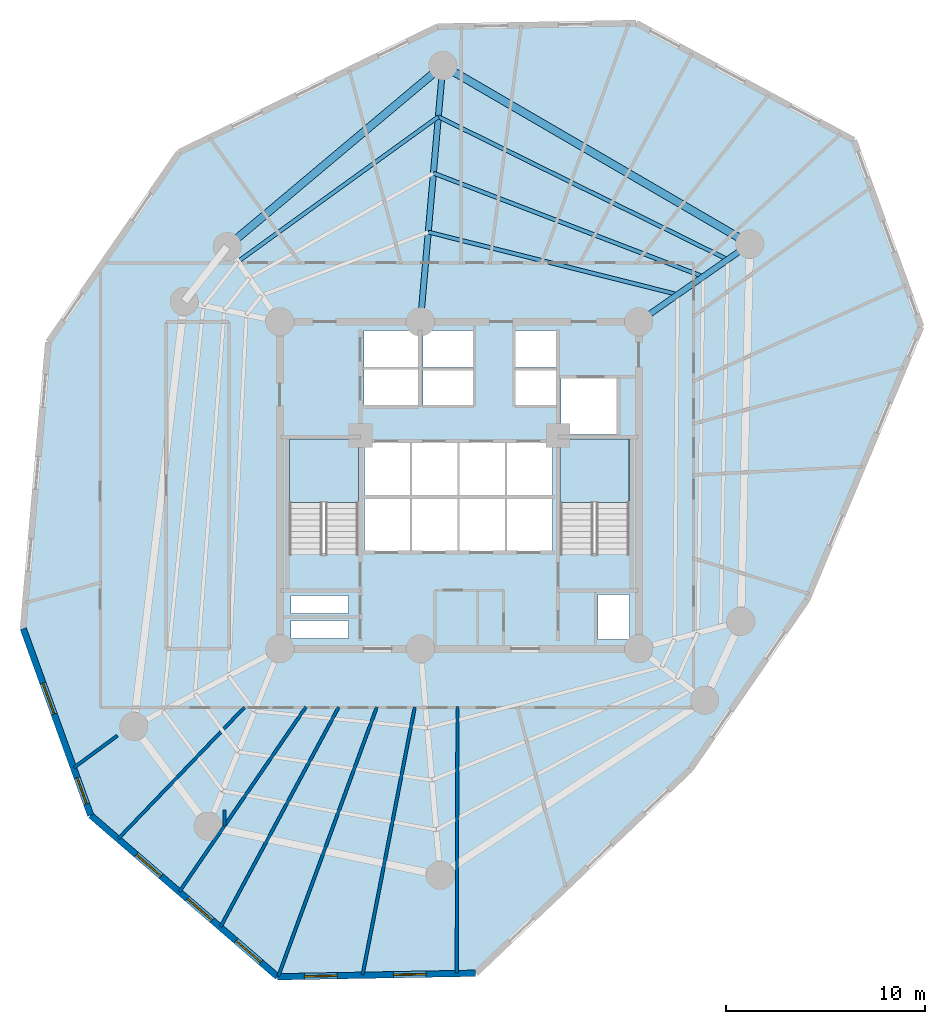
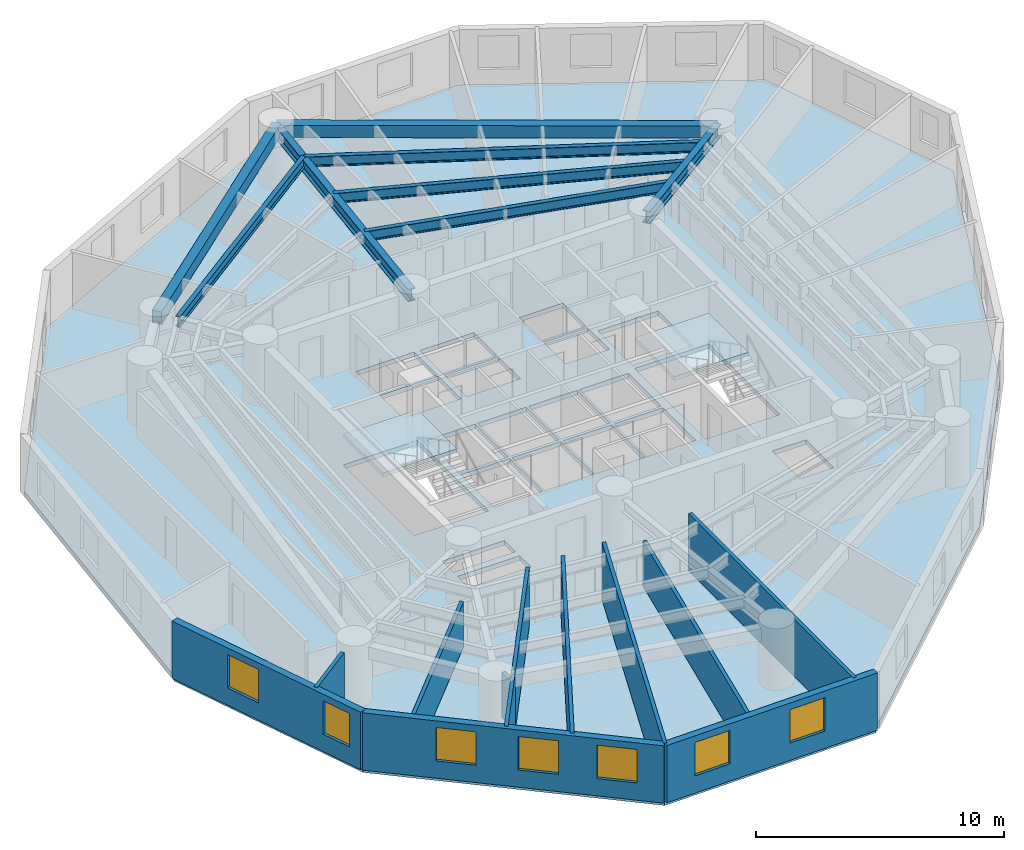
# One storey, part 2 of 8: 12 walls, 8 beams, 7 windows, 3 slabs, 7 openings, 2 elements without a shape of their own.
"""IFC4 building model written with IfcOpenShell, lengths in metres."""

from ifc_helpers import new_model, si_unit, direction, frame, frame_2d, origin, origin_with_axes, origin_2d, place, context, subcontext, project, spatial, polyline, rectangle, i_section, outline, extrude, source, transform, mapped, material, layer, layer_set, material_profile, profile_set, type_object, element, fill, aggregate, save


model = new_model("IFC4")

# Units and contexts
model_context = context("Model", 3, precision=1e-05, world=origin(), true_north=direction((0.0, 1.0)))
body_context = subcontext(model_context, "Body", "Model", "MODEL_VIEW")
ifc_project = project(units=[si_unit("LENGTHUNIT", "METRE"), si_unit("AREAUNIT", "SQUARE_METRE"), si_unit("VOLUMEUNIT", "CUBIC_METRE"), si_unit("PLANEANGLEUNIT", "RADIAN"), si_unit("MASSUNIT", "GRAM", prefix="KILO")], contexts=[model_context])

# Site, building, storey
site_placement = place(None, origin())
site = spatial("IfcSite", under=ifc_project, at=site_placement, CompositionType="ELEMENT")
building_placement = place(site_placement, origin())
building = spatial("IfcBuilding", under=site, at=building_placement, Name="Karkom Vertical University and Central Library", CompositionType="ELEMENT")
storey_placement = place(building_placement, frame((0.0, 0.0, 102.300048828125)))
storey = spatial("IfcBuildingStorey", under=building, at=storey_placement, Name="L27", CompositionType="ELEMENT", Elevation=102.300048828125)

# Beams
ifc_material_1 = material(Name="Precast concrete C45/55", Category="concrete")
ifc_material_profile_1 = material_profile(ifc_material_1, rectangle(XDim=0.39990234375, YDim=0.60009765625, at=origin_2d()), Name="SPB-400x600")
ifc_profile_set_1 = profile_set([ifc_material_profile_1], Name="Precast concrete C45/55")
beam_type_1 = type_object("IfcBeamType", Name="STR-BM-SP-1", PredefinedType="SPANDREL", material=ifc_profile_set_1)
shared_shape_1 = source(origin_with_axes(), body_context, "Body", "SweptSolid", [
    extrude(rectangle(XDim=0.39990234375, YDim=0.60009765625, at=origin_2d()), origin(), (0.0, 0.0, 1.0), 17.808837890625),
])
beam_1_placement = place(storey_placement, frame((43.070068359375, 38.60009765625, 2.52490234375), z_axis=(-0.864512866362, 0.502610688202, 0.0), x_axis=(-0.502610688202, -0.864512866362, 0.0)))
element("IfcBeam", 1, at=beam_1_placement, inside=storey, type_object=beam_type_1, Name="Level 27 Perimeter Spandrel Beam 02", PredefinedType="SPANDREL", context=body_context, shape_type="MappedRepresentation", body=[
    mapped(shared_shape_1, transform((0.0, 0.0, 0.0), scale=1.0)),
])
shared_shape_2 = source(origin_with_axes(), body_context, "Body", "SweptSolid", [
    extrude(rectangle(XDim=0.39990234375, YDim=0.60009765625, at=origin_2d()), origin(), (0.0, 0.0, 1.0), 14.120849609375),
])
beam_2_placement = place(storey_placement, frame((27.674072265625, 47.551025390625, 2.52490234375), z_axis=(-0.765672847866, -0.643230199883, 0.0), x_axis=(0.643230199883, -0.765672847866, 0.0)))
element("IfcBeam", 2, at=beam_2_placement, inside=storey, type_object=beam_type_1, Name="Level 27 Perimeter Spandrel Beam 03", PredefinedType="SPANDREL", context=body_context, shape_type="MappedRepresentation", body=[
    mapped(shared_shape_2, transform((0.0, 0.0, 0.0), scale=1.0)),
])
ifc_material_2 = material(Name="Steel S355", Category="steel")
ifc_material_profile_2 = material_profile(ifc_material_2, i_section(OverallWidth=0.199951171875, OverallDepth=0.5, WebThickness=0.01025390625, FlangeThickness=0.01611328125, FilletRadius=0.02099609375, at=origin_2d()), Name="IPE 500")
ifc_profile_set_2 = profile_set([ifc_material_profile_2], Name="Steel S355")
beam_type_2 = type_object("IfcBeamType", Name="STR-BM-SB-IPE500", PredefinedType="BEAM", material=ifc_profile_set_2)
shared_shape_3 = source(origin_with_axes(), body_context, "Body", "SweptSolid", [
    extrude(i_section(OverallWidth=0.199951171875, OverallDepth=0.5, WebThickness=0.01025390625, FlangeThickness=0.01611328125, FilletRadius=0.02099609375, at=origin_2d()), origin(), (0.0, 0.0, 1.0), 12.892578125),
])
beam_3_placement = place(storey_placement, frame((39.449462890625, 36.06494140625, 2.574951171875), z_axis=(-0.970023194321, 0.243012350468, 0.0), x_axis=(-0.243012350468, -0.970023194321, 0.0)))
element("IfcBeam", 3, at=beam_3_placement, inside=storey, type_object=beam_type_2, Name="Level 27 Secondary Composite Floor Beam 1.02", PredefinedType="BEAM", context=body_context, shape_type="MappedRepresentation", body=[
    mapped(shared_shape_3, transform((0.0, 0.0, 0.0), scale=1.0)),
])
shared_shape_4 = source(origin_with_axes(), body_context, "Body", "SweptSolid", [
    extrude(i_section(OverallWidth=0.199951171875, OverallDepth=0.5, WebThickness=0.01025390625, FlangeThickness=0.01611328125, FilletRadius=0.02099609375, at=origin_2d()), origin(), (0.0, 0.0, 1.0), 14.49072265625),
])
beam_4_placement = place(storey_placement, frame((40.730712890625, 36.9619140625, 2.574951171875), z_axis=(-0.93361673171, 0.35827335691, 0.0), x_axis=(-0.35827335691, -0.93361673171, 0.0)))
element("IfcBeam", 4, at=beam_4_placement, inside=storey, type_object=beam_type_2, Name="Level 27 Secondary Composite Floor Beam 2.02", PredefinedType="BEAM", context=body_context, shape_type="MappedRepresentation", body=[
    mapped(shared_shape_4, transform((0.0, 0.0, 0.0), scale=1.0)),
])
shared_shape_5 = source(origin_with_axes(), body_context, "Body", "SweptSolid", [
    extrude(i_section(OverallWidth=0.199951171875, OverallDepth=0.5, WebThickness=0.01025390625, FlangeThickness=0.01611328125, FilletRadius=0.02099609375, at=origin_2d()), origin(), (0.0, 0.0, 1.0), 16.177978515625),
])
beam_5_placement = place(storey_placement, frame((41.9560546875, 37.820068359375, 2.574951171875), z_axis=(-0.896709262653, 0.442620038263, 0.0), x_axis=(-0.442620038263, -0.896709262653, 0.0)))
element("IfcBeam", 5, at=beam_5_placement, inside=storey, type_object=beam_type_2, Name="Level 27 Secondary Composite Floor Beam 3.02", PredefinedType="BEAM", context=body_context, shape_type="MappedRepresentation", body=[
    mapped(shared_shape_5, transform((0.0, 0.0, 0.0), scale=1.0)),
])
shared_shape_6 = source(origin_with_axes(), body_context, "Body", "SweptSolid", [
    extrude(i_section(OverallWidth=0.199951171875, OverallDepth=0.5, WebThickness=0.01025390625, FlangeThickness=0.01611328125, FilletRadius=0.02099609375, at=origin_2d()), origin(), (0.0, 0.0, 1.0), 12.409423828125),
])
beam_6_placement = place(storey_placement, frame((27.44921875, 44.980712890625, 2.574951171875), z_axis=(-0.810636686292, -0.585549453793, 0.0), x_axis=(0.585549453793, -0.810636686292, 0.0)))
element("IfcBeam", 6, at=beam_6_placement, inside=storey, type_object=beam_type_2, Name="Level 27 Secondary Composite Floor Beam 3.03", PredefinedType="BEAM", context=body_context, shape_type="MappedRepresentation", body=[
    mapped(shared_shape_6, transform((0.0, 0.0, 0.0), scale=1.0)),
])
ifc_material_profile_3 = material_profile(ifc_material_2, i_section(OverallWidth=0.300048828125, OverallDepth=0.60009765625, WebThickness=0.015380859375, FlangeThickness=0.030029296875, FilletRadius=0.027099609375, at=origin_2d()), Name="HE 600 B")
ifc_profile_set_3 = profile_set([ifc_material_profile_3], Name="Steel S355")
beam_type_3 = type_object("IfcBeamType", Name="STR-BM-SB-HE600", PredefinedType="USERDEFINED", material=ifc_profile_set_3)
shared_shape_7 = source(origin_with_axes(), body_context, "Body", "SweptSolid", [
    extrude(i_section(OverallWidth=0.300048828125, OverallDepth=0.60009765625, WebThickness=0.015380859375, FlangeThickness=0.030029296875, FilletRadius=0.027099609375, at=origin_2d()), origin(), (0.0, 0.0, 1.0), 6.7998046875),
])
beam_7_placement = place(storey_placement, frame((37.5, 34.699951171875, 2.52490234375), z_axis=(0.819156008334, 0.573570775066, 0.0), x_axis=(-0.573570775066, 0.819156008334, 0.0)))
element("IfcBeam", 7, at=beam_7_placement, inside=storey, type_object=beam_type_3, Name="Level 27 Radial Frame Girder 02", ObjectType="GIRDER", PredefinedType="USERDEFINED", context=body_context, shape_type="MappedRepresentation", body=[
    mapped(shared_shape_7, transform((0.0, 0.0, 0.0), scale=1.0)),
])
shared_shape_8 = source(origin_with_axes(), body_context, "Body", "SweptSolid", [
    extrude(i_section(OverallWidth=0.300048828125, OverallDepth=0.60009765625, WebThickness=0.015380859375, FlangeThickness=0.030029296875, FilletRadius=0.027099609375, at=origin_2d()), origin(), (0.0, 0.0, 1.0), 12.900146484375),
])
beam_8_placement = place(storey_placement, frame((26.550048828125, 34.699951171875, 2.52490234375), z_axis=(0.087132673751, 0.996196716098, 0.0), x_axis=(-0.996196716098, 0.087132673751, 0.0)))
element("IfcBeam", 8, at=beam_8_placement, inside=storey, type_object=beam_type_3, Name="Level 27 Radial Frame Girder 03", ObjectType="GIRDER", PredefinedType="USERDEFINED", context=body_context, shape_type="MappedRepresentation", body=[
    mapped(shared_shape_8, transform((0.0, 0.0, 0.0), scale=1.0)),
])

# Stair, slab
ifc_material_3 = material(Name="Concrete C45/55", Category="concrete")
stair_type = type_object("IfcStairType", Name="INT-STR-ST-MAIN", PredefinedType="HALF_TURN_STAIR", material=ifc_material_3)
stair_1_placement = place(storey_placement, origin())
stair_1 = element("IfcStair", 9, at=stair_1_placement, inside=storey, type_object=stair_type, Name="Level 27 Tower Protected Exit Stair ST-1", PredefinedType="HALF_TURN_STAIR")
ifc_layer_1 = layer(ifc_material_3, 0.199951171875)
ifc_layer_set_1 = layer_set([ifc_layer_1], Name="Concrete C45/55")
slab_type_1 = type_object("IfcSlabType", Name="INT-SLB-LANDING", PredefinedType="LANDING", material=ifc_layer_set_1)
slab_1_placement = place(storey_placement, frame((0.0, 0.0, 1.324951171875)))
slab_1 = element("IfcSlab", 10, at=slab_1_placement, type_object=slab_type_1, Name="ST-1 landing 1", PredefinedType="LANDING", context=body_context, shape_type="SweptSolid", body=[
    extrude(outline(polyline([(23.43994140625, 25.6298828125), (23.43994140625, 28.820068359375), (19.97998046875, 28.820068359375), (19.97998046875, 25.6298828125), (23.43994140625, 25.6298828125)])), origin(), (0.0, 0.0, 1.0), 0.199951171875),
])
aggregate(stair_1, [slab_1])

stair_2_placement = place(storey_placement, origin())
stair_2 = element("IfcStair", 11, at=stair_2_placement, inside=storey, type_object=stair_type, Name="Level 27 Tower Protected Exit Stair ST-2", PredefinedType="HALF_TURN_STAIR")
slab_2_placement = place(storey_placement, frame((0.0, 0.0, 1.324951171875)))
slab_2 = element("IfcSlab", 12, at=slab_2_placement, type_object=slab_type_1, Name="ST-2 landing 1", PredefinedType="LANDING", context=body_context, shape_type="SweptSolid", body=[
    extrude(outline(polyline([(37.02001953125, 25.6298828125), (37.02001953125, 28.820068359375), (33.56005859375, 28.820068359375), (33.56005859375, 25.6298828125), (37.02001953125, 25.6298828125)])), origin(), (0.0, 0.0, 1.0), 0.199951171875),
])
aggregate(stair_2, [slab_2])

# Slab
ifc_layer_2 = layer(ifc_material_3, 0.22509765625)
ifc_layer_set_2 = layer_set([ifc_layer_2], Name="Concrete C45/55")
slab_type_2 = type_object("IfcSlabType", Name="STR-SLB-FLR-225", PredefinedType="FLOOR", material=ifc_layer_set_2)
slab_3_placement = place(storey_placement, frame((0.0, 0.0, -0.22509765625)))
element("IfcSlab", 13, at=slab_3_placement, inside=storey, type_object=slab_type_2, Name="Level 27 Tower Structural Floor Slab", PredefinedType="FLOOR", context=body_context, shape_type="SweptSolid", body=[
    extrude(outline(polyline([(14.450927734375, 43.195556640625), (7.8935546875, 33.676025390625), (6.62890625, 19.315185546875), (10.010986328125, 9.9521484375), (19.389892578125, 1.85009765625), (29.322265625, 2.026611328125), (40.081787109375, 12.25634765625), (45.936279296875, 20.755615234375), (51.6591796875, 34.454345703125), (48.2841796875, 43.79736328125), (37.37158203125, 49.6728515625), (27.417724609375, 49.49560546875), (14.450927734375, 43.195556640625)]), holes=[polyline([(19.97998046875, 23.0849609375), (23.43994140625, 23.0849609375), (23.43994140625, 28.820068359375), (19.97998046875, 28.820068359375), (19.97998046875, 23.0849609375)]), polyline([(33.56005859375, 23.0849609375), (37.02001953125, 23.0849609375), (37.02001953125, 28.820068359375), (33.56005859375, 28.820068359375), (33.56005859375, 23.0849609375)]), polyline([(23.75, 23.199951171875), (26.030029296875, 23.199951171875), (26.030029296875, 25.85009765625), (23.75, 25.85009765625), (23.75, 23.199951171875)]), polyline([(26.1298828125, 23.199951171875), (28.409912109375, 23.199951171875), (28.409912109375, 25.85009765625), (26.1298828125, 25.85009765625), (26.1298828125, 23.199951171875)]), polyline([(28.510009765625, 23.199951171875), (30.7900390625, 23.199951171875), (30.7900390625, 25.85009765625), (28.510009765625, 25.85009765625), (28.510009765625, 23.199951171875)]), polyline([(30.889892578125, 23.199951171875), (33.169921875, 23.199951171875), (33.169921875, 25.85009765625), (30.889892578125, 25.85009765625), (30.889892578125, 23.199951171875)]), polyline([(23.75, 26.0), (26.030029296875, 26.0), (26.030029296875, 28.64990234375), (23.75, 28.64990234375), (23.75, 26.0)]), polyline([(26.1298828125, 26.0), (28.409912109375, 26.0), (28.409912109375, 28.64990234375), (26.1298828125, 28.64990234375), (26.1298828125, 26.0)]), polyline([(28.510009765625, 26.0), (30.7900390625, 26.0), (30.7900390625, 28.64990234375), (28.510009765625, 28.64990234375), (28.510009765625, 26.0)]), polyline([(30.889892578125, 26.0), (33.169921875, 26.0), (33.169921875, 28.64990234375), (30.889892578125, 28.64990234375), (30.889892578125, 26.0)]), polyline([(26.679931640625, 30.5), (29.199951171875, 30.5), (29.199951171875, 32.25), (26.679931640625, 32.25), (26.679931640625, 30.5)]), polyline([(26.679931640625, 32.39990234375), (29.199951171875, 32.39990234375), (29.199951171875, 34.25), (26.679931640625, 34.25), (26.679931640625, 32.39990234375)]), polyline([(31.300048828125, 30.5), (33.35009765625, 30.5), (33.35009765625, 32.25), (31.300048828125, 32.25), (31.300048828125, 30.5)]), polyline([(31.300048828125, 32.39990234375), (33.35009765625, 32.39990234375), (33.35009765625, 34.25), (31.300048828125, 34.25), (31.300048828125, 32.39990234375)]), polyline([(23.719970703125, 30.47998046875), (26.429931640625, 30.47998046875), (26.429931640625, 32.320068359375), (23.719970703125, 32.320068359375), (23.719970703125, 30.47998046875)]), polyline([(23.719970703125, 32.419921875), (26.429931640625, 32.419921875), (26.429931640625, 34.260009765625), (23.719970703125, 34.260009765625), (23.719970703125, 32.419921875)]), polyline([(33.60009765625, 29.050048828125), (36.39990234375, 29.050048828125), (36.39990234375, 31.85009765625), (33.60009765625, 31.85009765625), (33.60009765625, 29.050048828125)]), polyline([(20.050048828125, 18.820068359375), (22.949951171875, 18.820068359375), (22.949951171875, 19.719970703125), (20.050048828125, 19.719970703125), (20.050048828125, 18.820068359375)]), polyline([(20.050048828125, 20.06005859375), (22.949951171875, 20.06005859375), (22.949951171875, 20.9599609375), (20.050048828125, 20.9599609375), (20.050048828125, 20.06005859375)]), polyline([(35.4599609375, 18.760009765625), (37.0400390625, 18.760009765625), (37.0400390625, 21.010009765625), (35.4599609375, 21.010009765625), (35.4599609375, 18.760009765625)])]), origin(), (0.0, 0.0, 1.0), 0.22509765625),
])

# Wall, openings, windows
ifc_material_4 = material(Name="Brick-faced precast concrete C45/55", Category="masonry")
ifc_layer_3 = layer(ifc_material_4, 0.320068359375)
ifc_layer_set_3 = layer_set([ifc_layer_3], Name="Brick-faced precast concrete C45/55")
wall_type_1 = type_object("IfcWallType", Name="ENV-WL-BRK-320", PredefinedType="SOLIDWALL", material=ifc_layer_set_3)
wall_1_placement = place(storey_placement, frame((6.62890625, 19.315185546875, 0.0), z_axis=(0.0, 0.0, 1.0), x_axis=(0.33973184498, -0.94052234078, 0.0)))
wall_1 = element("IfcWall", 14, at=wall_1_placement, inside=storey, type_object=wall_type_1, Name="Level 27 Brick-Faced Precast Facade Wall 03", PredefinedType="SOLIDWALL", context=body_context, shape_type="SweptSolid", body=[
    extrude(rectangle(XDim=9.955078125, YDim=0.320068359375, at=frame_2d((4.9775390625, 0.0))), origin(), (0.0, 0.0, 1.0), 2.824951171875),
])
opening_1_placement = place(wall_1_placement, frame((2.912353515625, 0.0, 0.85009765625)))
opening_1 = element("IfcOpeningElement", 15, at=opening_1_placement, cuts=wall_1, Name="Opening WN-06", PredefinedType="OPENING", context=body_context, shape_type="SweptSolid", body=[
    extrude(rectangle(XDim=1.64990234375, YDim=1.64990234375, at=frame_2d((0.824951171875, 0.824951171875))), frame((0.0, 0.169921875, 0.0), z_axis=(0.0, -1.0, 0.0), x_axis=(1.0, 0.0, 0.0)), (0.0, 0.0, 1.0), 0.340087890625),
])
opening_2_placement = place(wall_1_placement, frame((7.955078125, 0.0, 0.85009765625)))
opening_2 = element("IfcOpeningElement", 16, at=opening_2_placement, cuts=wall_1, Name="Opening WN-07", PredefinedType="OPENING", context=body_context, shape_type="SweptSolid", body=[
    extrude(rectangle(XDim=1.39990234375, YDim=1.64990234375, at=frame_2d((0.699951171875, 0.824951171875))), frame((0.0, 0.169921875, 0.0), z_axis=(0.0, -1.0, 0.0), x_axis=(1.0, 0.0, 0.0)), (0.0, 0.0, 1.0), 0.340087890625),
])
ifc_material_5 = material(Name="Aluminium thermal-break frame with solar-control IGU", Category="aluminium")
window_type_1 = type_object("IfcWindowType", Name="ENV-WIN-WN-06", PartitioningType="SINGLE_PANEL", PredefinedType="WINDOW", material=ifc_material_5)
shared_shape_9 = source(origin_with_axes(), body_context, "Body", "SweptSolid", [
    extrude(rectangle(XDim=1.64990234375, YDim=1.64990234375, at=frame_2d((0.824951171875, 0.824951171875))), frame((0.0, 0.030029296875, 0.0), z_axis=(0.0, -1.0, 0.0), x_axis=(1.0, 0.0, 0.0)), (0.0, 0.0, 1.0), 0.06005859375),
])
window_1_placement = place(opening_1_placement, origin())
window_1 = element("IfcWindow", 17, at=window_1_placement, inside=storey, type_object=window_type_1, Name="Level 27 Punched Window 3.1", OverallHeight=1.64990234375, OverallWidth=1.64990234375, PartitioningType="SINGLE_PANEL", PredefinedType="WINDOW", context=body_context, shape_type="MappedRepresentation", body=[
    mapped(shared_shape_9, transform((0.0, 0.0, 0.0), scale=1.0)),
])
fill(opening_1, window_1)
window_type_2 = type_object("IfcWindowType", Name="ENV-WIN-WN-07", PartitioningType="SINGLE_PANEL", PredefinedType="WINDOW", material=ifc_material_5)
shared_shape_10 = source(origin_with_axes(), body_context, "Body", "SweptSolid", [
    extrude(rectangle(XDim=1.39990234375, YDim=1.64990234375, at=frame_2d((0.699951171875, 0.824951171875))), frame((0.0, 0.030029296875, 0.0), z_axis=(0.0, -1.0, 0.0), x_axis=(1.0, 0.0, 0.0)), (0.0, 0.0, 1.0), 0.06005859375),
])
window_2_placement = place(opening_2_placement, origin())
window_2 = element("IfcWindow", 18, at=window_2_placement, inside=storey, type_object=window_type_2, Name="Level 27 Punched Window 3.2", OverallHeight=1.64990234375, OverallWidth=1.39990234375, PartitioningType="SINGLE_PANEL", PredefinedType="WINDOW", context=body_context, shape_type="MappedRepresentation", body=[
    mapped(shared_shape_10, transform((0.0, 0.0, 0.0), scale=1.0)),
])
fill(opening_2, window_2)

wall_2_placement = place(storey_placement, frame((10.010986328125, 9.9521484375, 0.0), z_axis=(0.0, 0.0, 1.0), x_axis=(0.756739731518, -0.653716283063, 0.0)))
wall_2 = element("IfcWall", 19, at=wall_2_placement, inside=storey, type_object=wall_type_1, Name="Level 27 Brick-Faced Precast Facade Wall 04", PredefinedType="SOLIDWALL", context=body_context, shape_type="SweptSolid", body=[
    extrude(rectangle(XDim=12.393798828125, YDim=0.320068359375, at=frame_2d((6.19677734375, 0.0))), origin(), (0.0, 0.0, 1.0), 2.824951171875),
])
opening_3_placement = place(wall_2_placement, frame((3.019287109375, 0.0, 0.85009765625)))
opening_3 = element("IfcOpeningElement", 20, at=opening_3_placement, cuts=wall_2, Name="Opening WN-06", PredefinedType="OPENING", context=body_context, shape_type="SweptSolid", body=[
    extrude(rectangle(XDim=1.64990234375, YDim=1.64990234375, at=frame_2d((0.824951171875, 0.824951171875))), frame((0.0, 0.169921875, 0.0), z_axis=(0.0, -1.0, 0.0), x_axis=(1.0, 0.0, 0.0)), (0.0, 0.0, 1.0), 0.340087890625),
])
opening_4_placement = place(wall_2_placement, frame((6.39990234375, 0.0, 0.85009765625)))
opening_4 = element("IfcOpeningElement", 21, at=opening_4_placement, cuts=wall_2, Name="Opening WN-06", PredefinedType="OPENING", context=body_context, shape_type="SweptSolid", body=[
    extrude(rectangle(XDim=1.64990234375, YDim=1.64990234375, at=frame_2d((0.824951171875, 0.824951171875))), frame((0.0, 0.169921875, 0.0), z_axis=(0.0, -1.0, 0.0), x_axis=(1.0, 0.0, 0.0)), (0.0, 0.0, 1.0), 0.340087890625),
])
opening_5_placement = place(wall_2_placement, frame((9.63330078125, 0.0, 0.85009765625)))
opening_5 = element("IfcOpeningElement", 22, at=opening_5_placement, cuts=wall_2, Name="Opening WN-06", PredefinedType="OPENING", context=body_context, shape_type="SweptSolid", body=[
    extrude(rectangle(XDim=1.64990234375, YDim=1.64990234375, at=frame_2d((0.824951171875, 0.824951171875))), frame((0.0, 0.169921875, 0.0), z_axis=(0.0, -1.0, 0.0), x_axis=(1.0, 0.0, 0.0)), (0.0, 0.0, 1.0), 0.340087890625),
])
window_3_placement = place(opening_3_placement, origin())
window_3 = element("IfcWindow", 23, at=window_3_placement, inside=storey, type_object=window_type_1, Name="Level 27 Punched Window 4.1", OverallHeight=1.64990234375, OverallWidth=1.64990234375, PartitioningType="SINGLE_PANEL", PredefinedType="WINDOW", context=body_context, shape_type="MappedRepresentation", body=[
    mapped(shared_shape_9, transform((0.0, 0.0, 0.0), scale=1.0)),
])
fill(opening_3, window_3)
window_4_placement = place(opening_4_placement, origin())
window_4 = element("IfcWindow", 24, at=window_4_placement, inside=storey, type_object=window_type_1, Name="Level 27 Punched Window 4.2", OverallHeight=1.64990234375, OverallWidth=1.64990234375, PartitioningType="SINGLE_PANEL", PredefinedType="WINDOW", context=body_context, shape_type="MappedRepresentation", body=[
    mapped(shared_shape_9, transform((0.0, 0.0, 0.0), scale=1.0)),
])
fill(opening_4, window_4)
window_5_placement = place(opening_5_placement, origin())
window_5 = element("IfcWindow", 25, at=window_5_placement, inside=storey, type_object=window_type_1, Name="Level 27 Punched Window 4.3", OverallHeight=1.64990234375, OverallWidth=1.64990234375, PartitioningType="SINGLE_PANEL", PredefinedType="WINDOW", context=body_context, shape_type="MappedRepresentation", body=[
    mapped(shared_shape_9, transform((0.0, 0.0, 0.0), scale=1.0)),
])
fill(opening_5, window_5)

wall_3_placement = place(storey_placement, frame((19.389892578125, 1.85009765625, 0.0), z_axis=(0.0, 0.0, 1.0), x_axis=(0.999842123387, 0.017768745058, 0.0)))
wall_3 = element("IfcWall", 26, at=wall_3_placement, inside=storey, type_object=wall_type_1, Name="Level 27 Brick-Faced Precast Facade Wall 05", PredefinedType="SOLIDWALL", context=body_context, shape_type="SweptSolid", body=[
    extrude(rectangle(XDim=9.933837890625, YDim=0.320068359375, at=frame_2d((4.966796875, 0.0))), origin(), (0.0, 0.0, 1.0), 2.824951171875),
])
opening_6_placement = place(wall_3_placement, frame((1.33984375, 0.0, 0.85009765625)))
opening_6 = element("IfcOpeningElement", 27, at=opening_6_placement, cuts=wall_3, Name="Opening WN-06", PredefinedType="OPENING", context=body_context, shape_type="SweptSolid", body=[
    extrude(rectangle(XDim=1.64990234375, YDim=1.64990234375, at=frame_2d((0.824951171875, 0.824951171875))), frame((0.0, 0.169921875, 0.0), z_axis=(0.0, -1.0, 0.0), x_axis=(1.0, 0.0, 0.0)), (0.0, 0.0, 1.0), 0.340087890625),
])
opening_7_placement = place(wall_3_placement, frame((5.801025390625, 0.0, 0.85009765625)))
opening_7 = element("IfcOpeningElement", 28, at=opening_7_placement, cuts=wall_3, Name="Opening WN-06", PredefinedType="OPENING", context=body_context, shape_type="SweptSolid", body=[
    extrude(rectangle(XDim=1.64990234375, YDim=1.64990234375, at=frame_2d((0.824951171875, 0.824951171875))), frame((0.0, 0.169921875, 0.0), z_axis=(0.0, -1.0, 0.0), x_axis=(1.0, 0.0, 0.0)), (0.0, 0.0, 1.0), 0.340087890625),
])
window_6_placement = place(opening_6_placement, origin())
window_6 = element("IfcWindow", 29, at=window_6_placement, inside=storey, type_object=window_type_1, Name="Level 27 Punched Window 5.1", OverallHeight=1.64990234375, OverallWidth=1.64990234375, PartitioningType="SINGLE_PANEL", PredefinedType="WINDOW", context=body_context, shape_type="MappedRepresentation", body=[
    mapped(shared_shape_9, transform((0.0, 0.0, 0.0), scale=1.0)),
])
fill(opening_6, window_6)
window_7_placement = place(opening_7_placement, origin())
window_7 = element("IfcWindow", 30, at=window_7_placement, inside=storey, type_object=window_type_1, Name="Level 27 Punched Window 5.2", OverallHeight=1.64990234375, OverallWidth=1.64990234375, PartitioningType="SINGLE_PANEL", PredefinedType="WINDOW", context=body_context, shape_type="MappedRepresentation", body=[
    mapped(shared_shape_9, transform((0.0, 0.0, 0.0), scale=1.0)),
])
fill(opening_7, window_7)

# Walls
ifc_material_6 = material(Name="Insulated metal-stud drywall 160mm", Category="gypsum")
ifc_layer_4 = layer(ifc_material_6, 0.159912109375)
ifc_layer_set_4 = layer_set([ifc_layer_4], Name="Insulated metal-stud drywall 160mm")
wall_type_2 = type_object("IfcWallType", Name="INT-WL-COR-160", PredefinedType="PARTITIONING", material=ifc_layer_set_4)
wall_4_placement = place(storey_placement, frame((24.364501953125, 15.378173828125, 0.0), z_axis=(0.0, 0.0, 1.0), x_axis=(-0.343751050733, -0.939060815453, 0.0)))
element("IfcWall", 31, at=wall_4_placement, inside=storey, type_object=wall_type_2, Name="Level 27 Interior Partition Wall L27-PW-008", PredefinedType="PARTITIONING", context=body_context, shape_type="SweptSolid", body=[
    extrude(rectangle(XDim=14.374267578125, YDim=0.159912109375, at=frame_2d((7.18701171875, 0.0))), origin(), (0.0, 0.0, 1.0), 2.824951171875),
])
wall_5_placement = place(storey_placement, frame((26.27001953125, 15.37939453125, 0.0), z_axis=(0.0, 0.0, 1.0), x_axis=(-0.191453333281, -0.981501717357, 0.0)))
element("IfcWall", 32, at=wall_5_placement, inside=storey, type_object=wall_type_2, Name="Level 27 Interior Partition Wall L27-PW-009", PredefinedType="PARTITIONING", context=body_context, shape_type="SweptSolid", body=[
    extrude(rectangle(XDim=13.680419921875, YDim=0.159912109375, at=frame_2d((6.84033203125, 0.0))), origin(), (0.0, 0.0, 1.0), 2.224853515625),
])
wall_6_placement = place(storey_placement, frame((28.408203125, 15.39501953125, 0.0), z_axis=(0.0, 0.0, 1.0), x_axis=(-0.002850657228, -0.999995936868, 0.0)))
element("IfcWall", 33, at=wall_6_placement, inside=storey, type_object=wall_type_2, Name="Level 27 Interior Partition Wall L27-PW-010", PredefinedType="PARTITIONING", context=body_context, shape_type="SweptSolid", body=[
    extrude(rectangle(XDim=13.3603515625, YDim=0.159912109375, at=frame_2d((6.68017578125, 0.0))), origin(), (0.0, 0.0, 1.0), 2.824951171875),
])
wall_7_placement = place(storey_placement, frame((22.45263671875, 15.37646484375, 0.0), z_axis=(0.0, 0.0, 1.0), x_axis=(-0.473471311531, -0.880809239936, 0.0)))
element("IfcWall", 34, at=wall_7_placement, inside=storey, type_object=wall_type_2, Name="Level 27 Interior Partition Wall L27-PW-007", PredefinedType="PARTITIONING", context=body_context, shape_type="SweptSolid", body=[
    extrude(rectangle(XDim=12.510986328125, YDim=0.159912109375, at=frame_2d((6.25537109375, 0.0))), origin(), (0.0, 0.0, 1.0), 2.824951171875),
])
wall_8_placement = place(storey_placement, frame((17.731689453125, 15.37158203125, 0.0), z_axis=(0.0, 0.0, 1.0), x_axis=(-0.692583559377, -0.721337655526, 0.0)))
element("IfcWall", 35, at=wall_8_placement, inside=storey, type_object=wall_type_2, Name="Level 27 Interior Partition Wall L27-PW-003", PredefinedType="PARTITIONING", context=body_context, shape_type="SweptSolid", body=[
    extrude(rectangle(XDim=9.135986328125, YDim=0.159912109375, at=frame_2d((4.56787109375, 0.0))), origin(), (0.0, 0.0, 1.0), 2.224853515625),
])
wall_9_placement = place(storey_placement, frame((20.81201171875, 15.38720703125, 0.0), z_axis=(0.0, 0.0, 1.0), x_axis=(-0.565265900297, -0.82490875978, 0.0)))
element("IfcWall", 36, at=wall_9_placement, inside=storey, type_object=wall_type_2, Name="Level 27 Interior Partition Wall L27-PW-004", PredefinedType="PARTITIONING", context=body_context, shape_type="SweptSolid", body=[
    extrude(rectangle(XDim=7.231689453125, YDim=0.159912109375, at=frame_2d((3.61572265625, 0.0))), origin(), (0.0, 0.0, 1.0), 2.824951171875),
])
wall_10_placement = place(storey_placement, frame((16.72119140625, 9.41748046875, 0.0), z_axis=(0.0, 0.0, 1.0), x_axis=(-0.565267564833, -0.82490761916, 0.0)))
element("IfcWall", 37, at=wall_10_placement, inside=storey, type_object=wall_type_2, Name="Level 27 Interior Partition Wall L27-PW-006", PredefinedType="PARTITIONING", context=body_context, shape_type="SweptSolid", body=[
    extrude(rectangle(XDim=4.0029296875, YDim=0.159912109375, at=frame_2d((2.00146484375, 0.0))), origin(), (0.0, 0.0, 1.0), 2.824951171875),
])
wall_11_placement = place(storey_placement, frame((11.35205078125, 13.943115234375, 0.0), z_axis=(0.0, 0.0, 1.0), x_axis=(-0.805144437771, -0.593078775819, 0.0)))
element("IfcWall", 38, at=wall_11_placement, inside=storey, type_object=wall_type_2, Name="Level 27 Interior Partition Wall L27-PW-001", PredefinedType="PARTITIONING", context=body_context, shape_type="SweptSolid", body=[
    extrude(rectangle(XDim=2.700927734375, YDim=0.159912109375, at=frame_2d((1.3505859375, 0.0))), origin(), (0.0, 0.0, 1.0), 2.824951171875),
])
wall_12_placement = place(storey_placement, frame((16.72412109375, 9.421630859375, 0.0), z_axis=(0.0, 0.0, 1.0), x_axis=(0.0, 1.0, 0.0)))
element("IfcWall", 39, at=wall_12_placement, inside=storey, type_object=wall_type_2, Name="Level 27 Interior Partition Wall L27-PW-005", PredefinedType="PARTITIONING", context=body_context, shape_type="SweptSolid", body=[
    extrude(rectangle(XDim=0.79736328125, YDim=0.159912109375, at=frame_2d((0.398681640625, 0.0))), origin(), (0.0, 0.0, 1.0), 2.224853515625),
])

save(model, "model.ifc")
